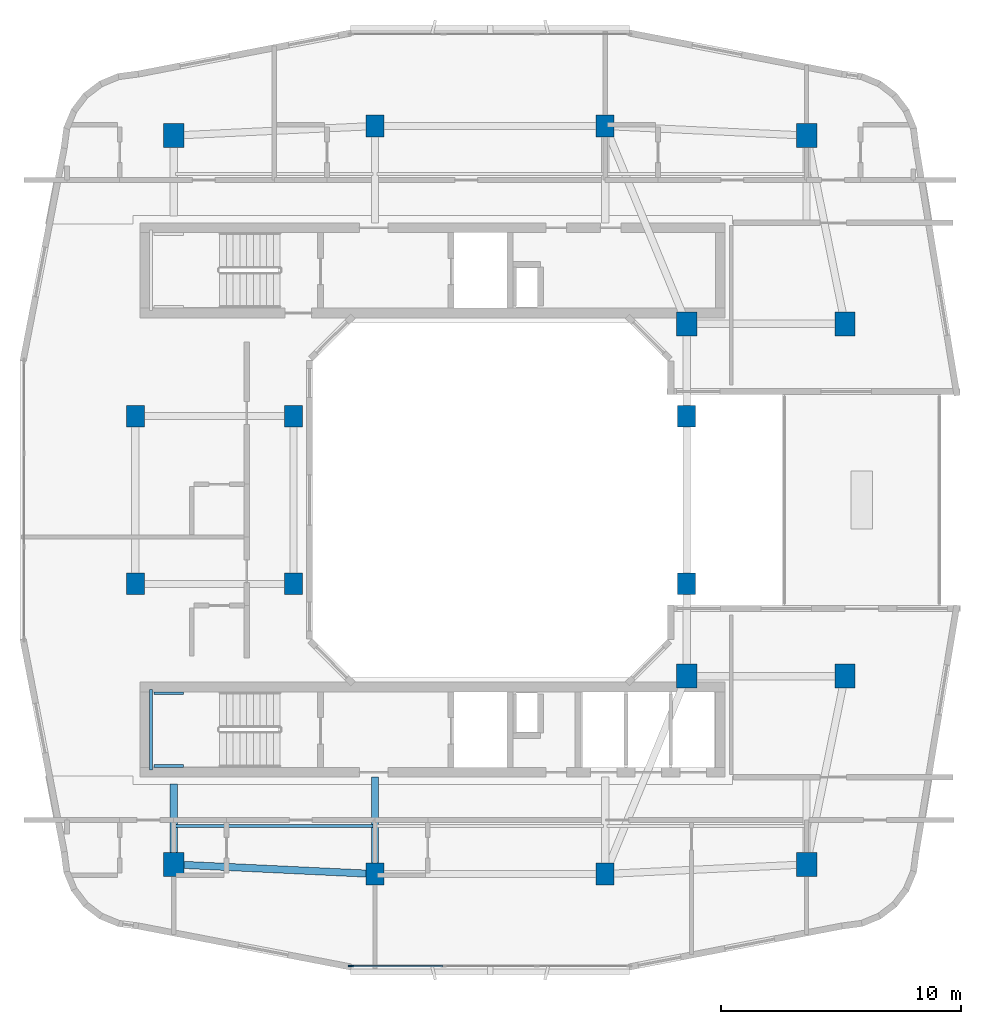
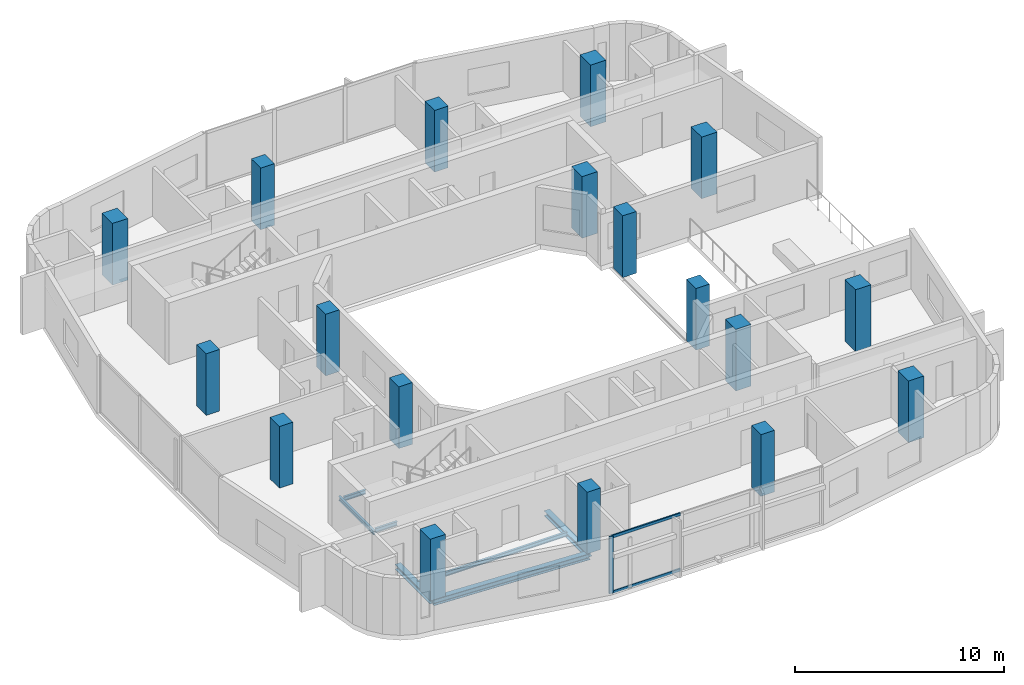
# One storey, part 1 of 12: 18 columns, 7 beams, 3 members, 1 element without a shape of its own.
"""IFC4 building model written with IfcOpenShell, lengths in metres."""

import ifcopenshell
import ifcopenshell.guid

model = None  # the IFC model being written
_history = None  # IfcOwnerHistory: only IFC2X3 demands one
_inside = {}  # id of a spatial element -> (the spatial element, [elements in it])
_under = {}  # id of a project, library or spatial element -> (it, [spatial elements below it])
_declared = {}  # id of a project -> (the project, [libraries it declares])
_typed = {}  # id of a type object -> (the type object, [elements of that type])
_made_of = {}  # id of a material, layer set ... -> (it, [elements and type objects made of it])


def new_model(schema):
    """Start an empty IFC model of exactly this schema.

    Asked for "IFC4X3", IfcOpenShell would pick the latest addendum, in which some entities
    have other attributes; the version numbers below select the first issue.
    IFC2X3 requires an IfcOwnerHistory on every rooted entity: one is made here for all.
    """
    global model, _history
    if schema == "IFC4X3":
        model = ifcopenshell.file(schema_version=(4, 3, 0, 0))
    else:
        model = ifcopenshell.file(schema=schema)
    _inside.clear()
    _under.clear()
    _declared.clear()
    _typed.clear()
    _made_of.clear()
    _history = None
    if model.schema == "IFC2X3":
        org = make("IfcOrganization", Name="unknown")
        user = make(
            "IfcPersonAndOrganization",
            ThePerson=make("IfcPerson", FamilyName="unknown"),
            TheOrganization=org,
        )
        app = make(
            "IfcApplication",
            ApplicationDeveloper=org,
            Version="unknown",
            ApplicationFullName="unknown",
            ApplicationIdentifier="unknown",
        )
        _history = make(
            "IfcOwnerHistory",
            OwningUser=user,
            OwningApplication=app,
            ChangeAction="ADDED",
            CreationDate=0,
        )
    return model


def make(cls, **values):
    """One entity of the class cls with the attributes given. An attribute that is None is left unset."""
    return model.create_entity(
        cls, **{name: value for name, value in values.items() if value is not None}
    )


def rooted(cls, **values):
    """An entity with a GlobalId (a new one), such as an element, a storey or a relation."""
    return make(cls, GlobalId=ifcopenshell.guid.new(), OwnerHistory=_history, **values)


def si_unit(unit_type, name, prefix=None):
    """IfcSIUnit, for example si_unit("LENGTHUNIT", "METRE", prefix="MILLI")."""
    return make("IfcSIUnit", UnitType=unit_type, Prefix=prefix, Name=name)


def derived_unit(unit_type, elements):
    """IfcDerivedUnit: a product of units, each with its exponent."""
    return make(
        "IfcDerivedUnit",
        Elements=[
            make("IfcDerivedUnitElement", Unit=unit, Exponent=power)
            for unit, power in elements
        ],
        UnitType=unit_type,
    )


def assignment(units):
    """IfcUnitAssignment: the units of a project."""
    return None if units is None else make("IfcUnitAssignment", Units=units)


def point(xyz):
    """IfcCartesianPoint."""
    return None if xyz is None else make("IfcCartesianPoint", Coordinates=xyz)


def direction(xyz):
    """IfcDirection."""
    return None if xyz is None else make("IfcDirection", DirectionRatios=xyz)


def frame(location, z_axis=None, x_axis=None):
    """IfcAxis2Placement3D, a coordinate frame: its origin and axes. An axis left out is left unset."""
    return make(
        "IfcAxis2Placement3D",
        Location=point(location),
        Axis=direction(z_axis),
        RefDirection=direction(x_axis),
    )


def frame_2d(location, x_axis=None):
    """IfcAxis2Placement2D, a coordinate frame in the plane: its origin and x axis."""
    return make(
        "IfcAxis2Placement2D", Location=point(location), RefDirection=direction(x_axis)
    )


def origin():
    """The frame at (0, 0, 0) with its axes left unset."""
    return frame((0.0, 0.0, 0.0))


def origin_2d():
    """The frame at (0, 0) in the plane with its x axis left unset."""
    return frame_2d((0.0, 0.0))


def place(relative_to, where):
    """IfcLocalPlacement: puts the frame where relative to a parent placement (None: the world)."""
    return make(
        "IfcLocalPlacement", PlacementRelTo=relative_to, RelativePlacement=where
    )


def context(
    kind, dimensions, precision=None, world=None, true_north=None, identifier=None
):
    """IfcGeometricRepresentationContext, for example the 3D "Model" context."""
    return make(
        "IfcGeometricRepresentationContext",
        ContextIdentifier=identifier,
        ContextType=kind,
        CoordinateSpaceDimension=dimensions,
        Precision=precision,
        WorldCoordinateSystem=world,
        TrueNorth=true_north,
    )


def subcontext(parent, identifier, kind, view, scale=None):
    """IfcGeometricRepresentationSubContext, for example "Body" below "Model"."""
    return make(
        "IfcGeometricRepresentationSubContext",
        ContextIdentifier=identifier,
        ContextType=kind,
        ParentContext=parent,
        TargetScale=scale,
        TargetView=view,
    )


def project(units=None, contexts=None):
    """IfcProject with its units and contexts."""
    return rooted(
        "IfcProject",
        Name="project",
        RepresentationContexts=contexts,
        UnitsInContext=assignment(units),
    )


def spatial(cls, under=None, at=None, **own):
    """A site, building, storey or space (cls), placed at a placement, below another one or the project."""
    s = rooted(cls, ObjectPlacement=at, **own)
    if under is not None:
        _under.setdefault(under.id(), (under, []))[1].append(s)
    return s


def profile(cls, at=None, kind="AREA", **sizes):
    """A parametric profile (cls). Its sizes go by their IFC names, for example OverallWidth=200.0."""
    return make(cls, ProfileType=kind, Position=at, **sizes)


def rectangle(**sizes):
    """IfcRectangleProfileDef."""
    return profile("IfcRectangleProfileDef", **sizes)


def i_section(**sizes):
    """IfcIShapeProfileDef."""
    return profile("IfcIShapeProfileDef", **sizes)


def extrude(swept, where, along, depth):
    """IfcExtrudedAreaSolid: the profile swept, set in the frame where, extruded along a direction by depth."""
    return make(
        "IfcExtrudedAreaSolid",
        SweptArea=swept,
        Position=where,
        ExtrudedDirection=direction(along),
        Depth=depth,
    )


def shape(context_of_items, identifier, shape_type, items):
    """IfcShapeRepresentation: the items that make up one representation, for example the "Body"."""
    return make(
        "IfcShapeRepresentation",
        ContextOfItems=context_of_items,
        RepresentationIdentifier=identifier,
        RepresentationType=shape_type,
        Items=items,
    )


def material(Name=None, Category=None):
    """IfcMaterial."""
    return make("IfcMaterial", Name=Name, Category=Category)


def layer(
    of_material, thickness, ventilated=None, Name=None, Category=None, Priority=None
):
    """IfcMaterialLayer: one layer of a wall or slab, of a material (None: an air gap)."""
    return make(
        "IfcMaterialLayer",
        Material=of_material,
        LayerThickness=thickness,
        IsVentilated=ventilated,
        Name=Name,
        Category=Category,
        Priority=Priority,
    )


def layer_set(layers, Name=None):
    """IfcMaterialLayerSet."""
    return make("IfcMaterialLayerSet", MaterialLayers=layers, LayerSetName=Name)


def material_profile(
    of_material, cross_section, Name=None, Category=None, Priority=None
):
    """IfcMaterialProfile: a cross section and its material."""
    return make(
        "IfcMaterialProfile",
        Name=Name,
        Material=of_material,
        Profile=cross_section,
        Priority=Priority,
        Category=Category,
    )


def profile_set(profiles, Name=None, composite=None):
    """IfcMaterialProfileSet."""
    return make(
        "IfcMaterialProfileSet",
        Name=Name,
        MaterialProfiles=profiles,
        CompositeProfile=composite,
    )


def made_of(thing, what):
    """Note that an element or type object is made of a material, layer set ...; save() writes the relation."""
    if what is not None:
        _made_of.setdefault(what.id(), (what, []))[1].append(thing)
    return thing


def type_object(cls, material=None, **own):
    """A type object (cls), such as IfcWallType, which elements share."""
    return made_of(rooted(cls, **own), material)


def element(
    cls,
    number,
    at=None,
    inside=None,
    cuts=None,
    type_object=None,
    material=None,
    context=None,
    identifier="Body",
    shape_type=None,
    held_by="IfcProductDefinitionShape",
    body=None,
    shapes=None,
    **own,
):
    """One element of the class cls, such as IfcWall. Its Tag is "e" and its number.

    at: its placement. inside: the storey or other place that contains it. cuts: it is an
    opening in that element (IfcRelVoidsElement). A single representation is given by context,
    identifier, shape_type and body (its items); several are given by shapes. held_by: the class
    of the entity that holds the representations. save() writes the other relations.
    """
    e = rooted(cls, Tag="e%d" % number, ObjectPlacement=at, **own)
    if body is not None:
        shapes = [shape(context, identifier, shape_type, body)]
    if shapes is not None:
        e.Representation = make(held_by, Representations=shapes)
    if inside is not None:
        _inside.setdefault(inside.id(), (inside, []))[1].append(e)
    if cuts is not None:
        rooted(
            "IfcRelVoidsElement", RelatingBuildingElement=cuts, RelatedOpeningElement=e
        )
    if type_object is not None:
        _typed.setdefault(type_object.id(), (type_object, []))[1].append(e)
    return made_of(e, material)


def aggregate(whole, parts):
    """IfcRelAggregates: a whole, such as a stair, and the parts it consists of."""
    return rooted("IfcRelAggregates", RelatingObject=whole, RelatedObjects=parts)


def save(model, path):
    """Write the relations noted so far, then the file.

    IfcRelAggregates (storeys below a building ...), IfcRelContainedInSpatialStructure (elements
    in a storey), IfcRelDefinesByType, IfcRelAssociatesMaterial and IfcRelDeclares: one each for
    every whole, place, type object, material and project.
    """
    for whole, parts in _under.values():
        aggregate(whole, parts)
    for where, things in _inside.values():
        rooted(
            "IfcRelContainedInSpatialStructure",
            RelatedElements=things,
            RelatingStructure=where,
        )
    for kind, things in _typed.values():
        rooted("IfcRelDefinesByType", RelatedObjects=things, RelatingType=kind)
    for what, things in _made_of.values():
        rooted("IfcRelAssociatesMaterial", RelatedObjects=things, RelatingMaterial=what)
    for by, libraries in _declared.values():
        rooted("IfcRelDeclares", RelatingContext=by, RelatedDefinitions=libraries)
    model.write(path)


model = new_model("IFC4")

# Units and contexts
model_context = context("Model", 3, precision=1e-05, world=origin(), true_north=direction((0.0, 1.0)))
body_context = subcontext(model_context, "Body", "Model", "MODEL_VIEW")
ifc_project = project(units=[si_unit("LENGTHUNIT", "METRE"), si_unit("AREAUNIT", "SQUARE_METRE"), si_unit("VOLUMEUNIT", "CUBIC_METRE"), si_unit("PLANEANGLEUNIT", "RADIAN"), si_unit("MASSUNIT", "GRAM", prefix="KILO"), derived_unit("THERMALTRANSMITTANCEUNIT", [(si_unit("POWERUNIT", "WATT"), 1), (si_unit("LENGTHUNIT", "METRE"), -2), (si_unit("THERMODYNAMICTEMPERATUREUNIT", "KELVIN"), -1)])], contexts=[model_context])

# Site, building, storey
site_placement = place(None, origin())
site = spatial("IfcSite", under=ifc_project, at=site_placement, CompositionType="ELEMENT")
building_placement = place(site_placement, origin())
building = spatial("IfcBuilding", under=site, at=building_placement, Name="Kivonza Crest Hotel", CompositionType="ELEMENT")
storey_placement = place(building_placement, frame((0.0, 0.0, 177.5)))
storey = spatial("IfcBuildingStorey", under=building, at=storey_placement, Name="L48", CompositionType="ELEMENT", Elevation=177.5)

# Columns
ifc_material_1 = material(Name="Concrete C50/60", Category="concrete")
ifc_material_profile_1 = material_profile(ifc_material_1, rectangle(XDim=0.85009765625, YDim=1.0, at=origin_2d()), Name="RC 1000x850")
ifc_profile_set_1 = profile_set([ifc_material_profile_1], Name="Concrete C50/60")
column_type_1 = type_object("IfcColumnType", Name="CL-RC-1000x850", PredefinedType="COLUMN", material=ifc_profile_set_1)
for number, where, z_axis, x_axis, name in (
    (1, (7.800048828125, 9.800048828125, 0.0), (0.0, 0.0, 1.0), (1.0, 0.0, 0.0), "Tower T1 L48 column SW"),
    (2, (34.199951171875, 9.800048828125, 0.0), (0.0, 0.0, 1.0), (1.0, 0.0, 0.0), "Tower T1 L48 column SE"),
    (3, (34.199951171875, 40.199951171875, 0.0), (0.0, 0.0, 1.0), (1.0, 0.0, 0.0), "Tower T1 L48 column NE"),
    (4, (7.800048828125, 40.199951171875, 0.0), (0.0, 0.0, 1.0), (1.0, 0.0, 0.0), "Tower T1 L48 column NW"),
    (5, (35.800048828125, 17.64990234375, 0.0), (0.0, 0.0, 1.0), (1.0, 0.0, 0.0), "Tower T1 L48 column PSE"),
    (6, (35.800048828125, 32.35009765625, 0.0), (0.0, 0.0, 1.0), (1.0, 0.0, 0.0), "Tower T1 L48 column PNE"),
    (7, (29.199951171875, 17.64990234375, 0.0), (0.0, 0.0, 1.0), (1.0, 0.0, 0.0), "Tower T1 L48 column TSE"),
    (8, (29.199951171875, 32.35009765625, 0.0), (0.0, 0.0, 1.0), (1.0, 0.0, 0.0), "Tower T1 L48 column TNE"),
):
    element("IfcColumn", number, at=place(storey_placement, frame(where, z_axis=z_axis, x_axis=x_axis)), inside=storey, type_object=column_type_1, Name=name, PredefinedType="COLUMN", context=body_context, shape_type="SweptSolid", body=[
        extrude(rectangle(XDim=0.85009765625, YDim=1.0, at=origin_2d()), origin(), (0.0, 0.0, 1.0), 3.60009765625),
    ])
ifc_material_profile_2 = material_profile(ifc_material_1, rectangle(XDim=0.75, YDim=0.89990234375, at=origin_2d()), Name="RC 900x750")
ifc_profile_set_2 = profile_set([ifc_material_profile_2], Name="Concrete C50/60")
column_type_2 = type_object("IfcColumnType", Name="CL-RC-900x750", PredefinedType="COLUMN", material=ifc_profile_set_2)
for number, where, z_axis, x_axis, name in (
    (9, (16.199951171875, 9.39990234375, 0.0), (0.0, 0.0, 1.0), (1.0, 0.0, 0.0), "Tower T1 L48 column S1"),
    (10, (25.800048828125, 9.39990234375, 0.0), (0.0, 0.0, 1.0), (1.0, 0.0, 0.0), "Tower T1 L48 column S2"),
    (11, (16.199951171875, 40.60009765625, 0.0), (0.0, 0.0, 1.0), (1.0, 0.0, 0.0), "Tower T1 L48 column N1"),
    (12, (25.800048828125, 40.60009765625, 0.0), (0.0, 0.0, 1.0), (1.0, 0.0, 0.0), "Tower T1 L48 column N2"),
    (13, (6.199951171875, 21.5, 0.0), (0.0, 0.0, 1.0), (1.0, 0.0, 0.0), "Tower T1 L48 column W1"),
    (14, (6.199951171875, 28.5, 0.0), (0.0, 0.0, 1.0), (1.0, 0.0, 0.0), "Tower T1 L48 column W2"),
    (15, (12.800048828125, 21.5, 0.0), (0.0, 0.0, 1.0), (1.0, 0.0, 0.0), "Tower T1 L48 column WL1"),
    (16, (12.800048828125, 28.5, 0.0), (0.0, 0.0, 1.0), (1.0, 0.0, 0.0), "Tower T1 L48 column WL2"),
    (17, (29.199951171875, 21.5, 0.0), (0.0, 0.0, 1.0), (1.0, 0.0, 0.0), "Tower T1 L48 column WR1"),
    (18, (29.199951171875, 28.5, 0.0), (0.0, 0.0, 1.0), (1.0, 0.0, 0.0), "Tower T1 L48 column WR2"),
):
    element("IfcColumn", number, at=place(storey_placement, frame(where, z_axis=z_axis, x_axis=x_axis)), inside=storey, type_object=column_type_2, Name=name, PredefinedType="COLUMN", context=body_context, shape_type="SweptSolid", body=[
        extrude(rectangle(XDim=0.75, YDim=0.89990234375, at=origin_2d()), origin(), (0.0, 0.0, 1.0), 3.60009765625),
    ])

# Beams
ifc_material_2 = material(Name="Steel S355", Category="steel")
ifc_material_profile_3 = material_profile(ifc_material_2, i_section(OverallWidth=0.300048828125, OverallDepth=0.300048828125, WebThickness=0.010986328125, FlangeThickness=0.01904296875, FilletRadius=0.027099609375, at=origin_2d()), Name="HEB 300")
ifc_profile_set_3 = profile_set([ifc_material_profile_3], Name="Steel S355")
beam_type_1 = type_object("IfcBeamType", Name="BM-HEB300", PredefinedType="BEAM", material=ifc_profile_set_3)
beam_1_placement = place(storey_placement, frame((7.800048828125, 9.800048828125, -0.429931640625), z_axis=(0.0, 1.0, 0.0), x_axis=(-1.0, 0.0, 0.0)))
element("IfcBeam", 19, at=beam_1_placement, inside=storey, type_object=beam_type_1, Name="Tower T1 L48 radial core girder RSW", PredefinedType="BEAM", context=body_context, shape_type="SweptSolid", body=[
    extrude(i_section(OverallWidth=0.300048828125, OverallDepth=0.300048828125, WebThickness=0.010986328125, FlangeThickness=0.01904296875, FilletRadius=0.027099609375, at=origin_2d()), origin(), (0.0, 0.0, 1.0), 3.349853515625),
])
beam_2_placement = place(storey_placement, frame((16.199951171875, 9.39990234375, -0.429931640625), z_axis=(0.0, 1.0, 0.0), x_axis=(-1.0, 0.0, 0.0)))
element("IfcBeam", 20, at=beam_2_placement, inside=storey, type_object=beam_type_1, Name="Tower T1 L48 radial core girder RS1", PredefinedType="BEAM", context=body_context, shape_type="SweptSolid", body=[
    extrude(i_section(OverallWidth=0.300048828125, OverallDepth=0.300048828125, WebThickness=0.010986328125, FlangeThickness=0.01904296875, FilletRadius=0.027099609375, at=origin_2d()), origin(), (0.0, 0.0, 1.0), 4.050048828125),
])
ifc_material_profile_4 = material_profile(ifc_material_2, i_section(OverallWidth=0.300048828125, OverallDepth=0.360107421875, WebThickness=0.012451171875, FlangeThickness=0.0224609375, FilletRadius=0.027099609375, at=origin_2d()), Name="HEB 360")
ifc_profile_set_4 = profile_set([ifc_material_profile_4], Name="Steel S355")
beam_type_2 = type_object("IfcBeamType", Name="BM-HEB360", PredefinedType="SPANDREL", material=ifc_profile_set_4)
beam_3_placement = place(storey_placement, frame((7.800048828125, 9.800048828125, -0.4599609375), z_axis=(0.998867283688, -0.047583080799, 0.0), x_axis=(0.047583080799, 0.998867283688, 0.0)))
element("IfcBeam", 21, at=beam_3_placement, inside=storey, type_object=beam_type_2, Name="Tower T1 L48 perimeter spandrel SW-S1", PredefinedType="SPANDREL", context=body_context, shape_type="SweptSolid", body=[
    extrude(i_section(OverallWidth=0.300048828125, OverallDepth=0.360107421875, WebThickness=0.012451171875, FlangeThickness=0.0224609375, FilletRadius=0.027099609375, at=origin_2d()), origin(), (0.0, 0.0, 1.0), 8.409423828125),
])
ifc_material_profile_5 = material_profile(ifc_material_2, i_section(OverallWidth=0.1201171875, OverallDepth=0.239990234375, WebThickness=0.006103515625, FlangeThickness=0.009765625, FilletRadius=0.014892578125, at=origin_2d()), Name="IPE 240")
ifc_profile_set_5 = profile_set([ifc_material_profile_5], Name="Steel S355")
beam_type_3 = type_object("IfcBeamType", Name="BM-IPE240", PredefinedType="JOIST", material=ifc_profile_set_5)
beam_4_placement = place(storey_placement, frame((7.8798828125, 11.39990234375, -0.39990234375), z_axis=(1.0, 0.0, 0.0), x_axis=(0.0, 1.0, 0.0)))
element("IfcBeam", 22, at=beam_4_placement, inside=storey, type_object=beam_type_3, Name="Tower T1 L48 South-West floor joist", PredefinedType="JOIST", context=body_context, shape_type="SweptSolid", body=[
    extrude(i_section(OverallWidth=0.1201171875, OverallDepth=0.239990234375, WebThickness=0.006103515625, FlangeThickness=0.009765625, FilletRadius=0.014892578125, at=origin_2d()), origin(), (0.0, 0.0, 1.0), 8.240234375),
])
ifc_material_profile_6 = material_profile(ifc_material_2, i_section(OverallWidth=0.1201171875, OverallDepth=0.239990234375, WebThickness=0.006103515625, FlangeThickness=0.009765625, FilletRadius=0.014892578125, at=origin_2d()), Name="IPE 240")
ifc_profile_set_6 = profile_set([ifc_material_profile_6], Name="Steel S355")
beam_type_4 = type_object("IfcBeamType", Name="BM-LLDG-240", PredefinedType="BEAM", material=ifc_profile_set_6)
beam_5_placement = place(storey_placement, frame((6.860107421875, 13.739990234375, 1.47998046875), z_axis=(0.0, 1.0, 0.0), x_axis=(-1.0, 0.0, 0.0)))
element("IfcBeam", 23, at=beam_5_placement, inside=storey, type_object=beam_type_4, Name="Stair ST-T1-S L48 West landing corbel", PredefinedType="BEAM", context=body_context, shape_type="SweptSolid", body=[
    extrude(i_section(OverallWidth=0.1201171875, OverallDepth=0.239990234375, WebThickness=0.006103515625, FlangeThickness=0.009765625, FilletRadius=0.014892578125, at=origin_2d()), origin(), (0.0, 0.0, 1.0), 3.360107421875),
])
for number, where, z_axis, x_axis, name in (
    (24, (6.989990234375, 13.89990234375, 1.47998046875), (1.0, 0.0, 0.0), (0.0, 1.0, 0.0), "Stair ST-T1-S L48 South landing corbel"),
    (25, (6.989990234375, 16.93994140625, 1.47998046875), (1.0, 0.0, 0.0), (0.0, 1.0, 0.0), "Stair ST-T1-S L48 North landing corbel"),
):
    element("IfcBeam", number, at=place(storey_placement, frame(where, z_axis=z_axis, x_axis=x_axis)), inside=storey, type_object=beam_type_4, Name=name, PredefinedType="BEAM", context=body_context, shape_type="SweptSolid", body=[
        extrude(i_section(OverallWidth=0.1201171875, OverallDepth=0.239990234375, WebThickness=0.006103515625, FlangeThickness=0.009765625, FilletRadius=0.014892578125, at=origin_2d()), origin(), (0.0, 0.0, 1.0), 1.2099609375),
    ])

# Curtain wall, members
ifc_material_3 = material(Name="Anodised bronze aluminium and low-E double glazing", Category="aluminium")
ifc_layer = layer(ifc_material_3, 0.179931640625)
ifc_layer_set = layer_set([ifc_layer], Name="Anodised bronze aluminium and low-E double glazing")
curtain_wall_type = type_object("IfcCurtainWallType", Name="CW-SYS-3", PredefinedType="NOTDEFINED", material=ifc_layer_set)
curtain_wall_placement = place(storey_placement, origin())
curtain_wall = element("IfcCurtainWall", 26, at=curtain_wall_placement, inside=storey, type_object=curtain_wall_type, Name="L48 unitised curtain wall CW-T1-L48-08", PredefinedType="NOTDEFINED")
ifc_material_4 = material(Name="Anodised bronze aluminium", Category="aluminium")
ifc_material_profile_7 = material_profile(ifc_material_4, rectangle(XDim=0.074951171875, YDim=0.219970703125, at=origin_2d()), Name="CW-M 75x220")
ifc_profile_set_7 = profile_set([ifc_material_profile_7], Name="Anodised bronze aluminium")
member_type_1 = type_object("IfcMemberType", Name="CW-MUL-75x220", PredefinedType="MULLION", material=ifc_profile_set_7)
member_1_placement = place(storey_placement, frame((15.197509765625, 5.56005859375, 0.0), z_axis=(0.0, 0.0, 1.0), x_axis=(0.0, 1.0, 0.0)))
member_1 = element("IfcMember", 27, at=member_1_placement, type_object=member_type_1, Name="CW-3 mullion 1", PredefinedType="MULLION", context=body_context, shape_type="SweptSolid", body=[
    extrude(rectangle(XDim=0.074951171875, YDim=0.219970703125, at=origin_2d()), origin(), (0.0, 0.0, 1.0), 3.320068359375),
])
ifc_material_profile_8 = material_profile(ifc_material_4, rectangle(XDim=0.074951171875, YDim=0.159912109375, at=origin_2d()), Name="CW-T 75x160")
ifc_profile_set_8 = profile_set([ifc_material_profile_8], Name="Anodised bronze aluminium")
member_type_2 = type_object("IfcMemberType", Name="CW-TRN-75x160", PredefinedType="USERDEFINED", material=ifc_profile_set_8)
member_2_placement = place(storey_placement, frame((15.235107421875, 5.56005859375, 0.03759765625), z_axis=(1.0, 0.0, 0.0), x_axis=(0.0, 1.0, 0.0)))
member_2 = element("IfcMember", 28, at=member_2_placement, type_object=member_type_2, Name="CW-3 transom 1.1", ObjectType="TRANSOM", PredefinedType="USERDEFINED", context=body_context, shape_type="SweptSolid", body=[
    extrude(rectangle(XDim=0.074951171875, YDim=0.159912109375, at=origin_2d()), origin(), (0.0, 0.0, 1.0), 3.78076171875),
])
member_3_placement = place(storey_placement, frame((15.235107421875, 5.56005859375, 3.282470703125), z_axis=(1.0, 0.0, 0.0), x_axis=(0.0, 1.0, 0.0)))
member_3 = element("IfcMember", 29, at=member_3_placement, type_object=member_type_2, Name="CW-3 transom 1.2", ObjectType="TRANSOM", PredefinedType="USERDEFINED", context=body_context, shape_type="SweptSolid", body=[
    extrude(rectangle(XDim=0.074951171875, YDim=0.159912109375, at=origin_2d()), origin(), (0.0, 0.0, 1.0), 3.78076171875),
])
aggregate(curtain_wall, [member_1, member_2, member_3])

save(model, "model.ifc")
